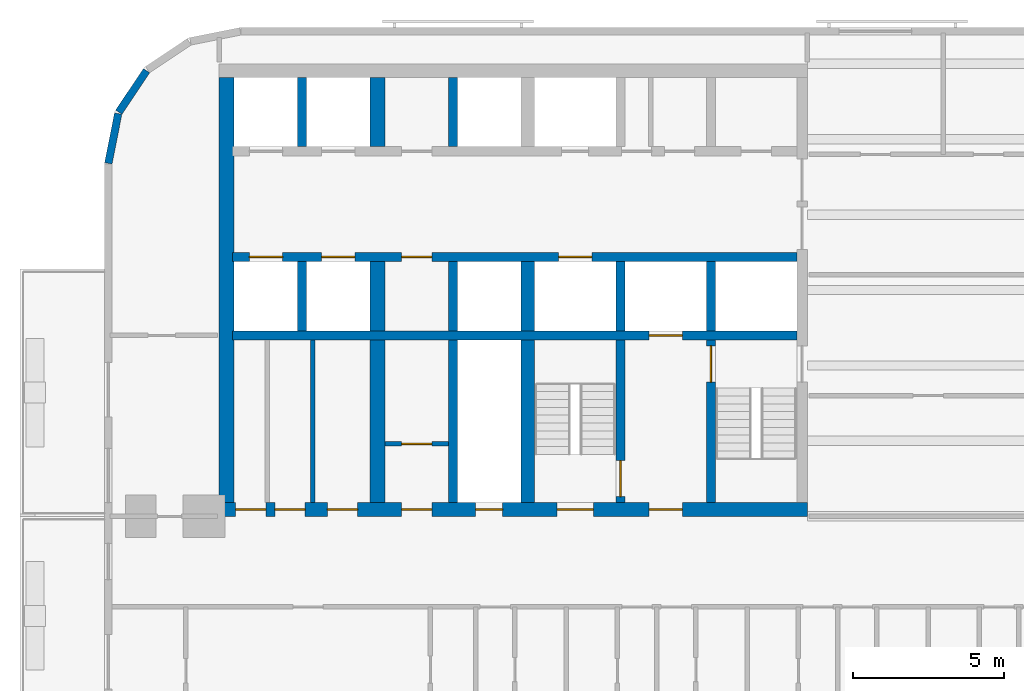
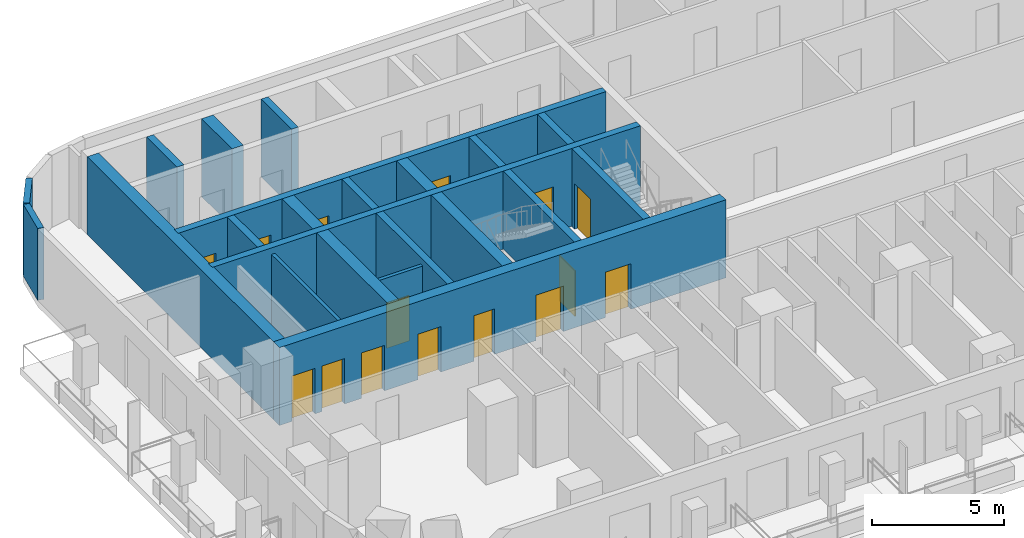
# One storey, part 3 of 15: 22 walls, 15 doors, 15 openings.
"""IFC4 building model written with IfcOpenShell, lengths in metres."""

from ifc_helpers import new_model, si_unit, direction, frame, frame_2d, origin, place, context, subcontext, project, spatial, rectangle, extrude, material, layer, layer_set, type_object, element, fill, save


model = new_model("IFC4")

# Units and contexts
model_context = context("Model", 3, precision=1e-05, world=origin(), true_north=direction((0.0, 1.0)))
body_context = subcontext(model_context, "Body", "Model", "MODEL_VIEW")
ifc_project = project(units=[si_unit("LENGTHUNIT", "METRE"), si_unit("AREAUNIT", "SQUARE_METRE"), si_unit("VOLUMEUNIT", "CUBIC_METRE"), si_unit("PLANEANGLEUNIT", "RADIAN"), si_unit("MASSUNIT", "GRAM", prefix="KILO")], contexts=[model_context])

# Site, building, storey
site_placement = place(None, origin())
site = spatial("IfcSite", under=ifc_project, at=site_placement, CompositionType="ELEMENT")
building_placement = place(site_placement, origin())
building = spatial("IfcBuilding", under=site, at=building_placement, Name="Torana Hotel and Residences", CompositionType="ELEMENT")
storey_placement = place(building_placement, frame((0.0, 0.0, 42.0)))
storey = spatial("IfcBuildingStorey", under=building, at=storey_placement, Name="L09", CompositionType="ELEMENT", Elevation=42.0)

# Wall, openings, doors
ifc_material_1 = material(Name="Concrete C80/95", Category="concrete")
ifc_layer_1 = layer(ifc_material_1, 0.300048828125)
ifc_layer_set_1 = layer_set([ifc_layer_1], Name="CORE WALL 300 C80/95")
wall_type_1 = type_object("IfcWallType", Name="CORE WALL 300 C80/95", PredefinedType="SHEAR", material=ifc_layer_set_1)
wall_1_placement = place(storey_placement, frame((-29.050048828125, -6.39990234375, 0.0), z_axis=(0.0, 0.0, 1.0), x_axis=(1.0, 0.0, 0.0)))
wall_1 = element("IfcWall", 1, at=wall_1_placement, inside=storey, type_object=wall_type_1, Name="Core wall W row-S", PredefinedType="SHEAR", context=body_context, shape_type="SweptSolid", body=[
    extrude(rectangle(XDim=18.699951171875, YDim=0.300048828125, at=frame_2d((9.35009765625, 0.0))), origin(), (0.0, 0.0, 1.0), 3.60009765625),
])
opening_1_placement = place(wall_1_placement, frame((2.949951171875, 0.0, 0.0)))
opening_1 = element("IfcOpeningElement", 2, at=opening_1_placement, cuts=wall_1, Name="Opening LD", PredefinedType="OPENING", context=body_context, shape_type="SweptSolid", body=[
    extrude(rectangle(XDim=1.10009765625, YDim=2.10009765625, at=frame_2d((0.550048828125, 1.050048828125))), frame((0.0, 0.159912109375, 0.0), z_axis=(0.0, -1.0, 0.0), x_axis=(1.0, 0.0, 0.0)), (0.0, 0.0, 1.0), 0.320068359375),
])
opening_2_placement = place(wall_1_placement, frame((0.550048828125, 0.0, 0.0)))
opening_2 = element("IfcOpeningElement", 3, at=opening_2_placement, cuts=wall_1, Name="Opening LD", PredefinedType="OPENING", context=body_context, shape_type="SweptSolid", body=[
    extrude(rectangle(XDim=1.10009765625, YDim=2.10009765625, at=frame_2d((0.550048828125, 1.050048828125))), frame((0.0, 0.159912109375, 0.0), z_axis=(0.0, -1.0, 0.0), x_axis=(1.0, 0.0, 0.0)), (0.0, 0.0, 1.0), 0.320068359375),
])
opening_3_placement = place(wall_1_placement, frame((10.800048828125, 0.0, 0.0)))
opening_3 = element("IfcOpeningElement", 4, at=opening_3_placement, cuts=wall_1, Name="Opening LD", PredefinedType="OPENING", context=body_context, shape_type="SweptSolid", body=[
    extrude(rectangle(XDim=1.10009765625, YDim=2.10009765625, at=frame_2d((0.550048828125, 1.050048828125))), frame((0.0, 0.159912109375, 0.0), z_axis=(0.0, -1.0, 0.0), x_axis=(1.0, 0.0, 0.0)), (0.0, 0.0, 1.0), 0.320068359375),
])
opening_4_placement = place(wall_1_placement, frame((5.60009765625, 0.0, 0.0)))
opening_4 = element("IfcOpeningElement", 5, at=opening_4_placement, cuts=wall_1, Name="Opening L09-16", PredefinedType="OPENING", context=body_context, shape_type="SweptSolid", body=[
    extrude(rectangle(XDim=1.0, YDim=2.10009765625, at=frame_2d((0.5, 1.050048828125))), frame((0.0, 0.159912109375, 0.0), z_axis=(0.0, -1.0, 0.0), x_axis=(1.0, 0.0, 0.0)), (0.0, 0.0, 1.0), 0.320068359375),
])
ifc_material_2 = material(Name="Steel S235", Category="steel")
door_type_1 = type_object("IfcDoorType", Name="CORE ROOM FIRE DOOR D14 1000x2100", OperationType="SINGLE_SWING_LEFT", PredefinedType="DOOR", material=ifc_material_2)
door_1_placement = place(opening_4_placement, frame((0.5, 0.0, 0.0), z_axis=(0.0, 0.0, 1.0), x_axis=(-1.0, 0.0, 0.0)))
door_1 = element("IfcDoor", 6, at=door_1_placement, inside=storey, type_object=door_type_1, Name="Free-M2 door L09", OperationType="SINGLE_SWING_LEFT", OverallHeight=2.10009765625, OverallWidth=1.0, PredefinedType="DOOR", context=body_context, shape_type="SweptSolid", body=[
    extrude(rectangle(XDim=1.0, YDim=2.10009765625, at=frame_2d((0.0, 1.050048828125))), frame((0.0, -0.02490234375, 0.0), z_axis=(0.0, 1.0, 0.0), x_axis=(-1.0, 0.0, 0.0)), (0.0, 0.0, 1.0), 0.050048828125),
])
fill(opening_4, door_1)
ifc_material_3 = material(Name="Stainless steel 316", Category="steel")
door_type_2 = type_object("IfcDoorType", Name="LIFT LANDING DOOR LD 1100x2100", OperationType="DOUBLE_DOOR_SLIDING", PredefinedType="USERDEFINED", material=ifc_material_3)
door_2_placement = place(opening_1_placement, origin())
door_2 = element("IfcDoor", 7, at=door_2_placement, inside=storey, type_object=door_type_2, Name="Lift landing door L3 L09", ObjectType="LIFT LANDING DOOR", OperationType="DOUBLE_DOOR_SLIDING", OverallHeight=2.10009765625, OverallWidth=1.10009765625, PredefinedType="USERDEFINED", context=body_context, shape_type="SweptSolid", body=[
    extrude(rectangle(XDim=1.10009765625, YDim=2.10009765625, at=frame_2d((0.550048828125, 1.050048828125))), frame((0.0, 0.02490234375, 0.0), z_axis=(0.0, -1.0, 0.0), x_axis=(1.0, 0.0, 0.0)), (0.0, 0.0, 1.0), 0.050048828125),
])
fill(opening_1, door_2)
door_3_placement = place(opening_2_placement, origin())
door_3 = element("IfcDoor", 8, at=door_3_placement, inside=storey, type_object=door_type_2, Name="Lift landing door L4 L09", ObjectType="LIFT LANDING DOOR", OperationType="DOUBLE_DOOR_SLIDING", OverallHeight=2.10009765625, OverallWidth=1.10009765625, PredefinedType="USERDEFINED", context=body_context, shape_type="SweptSolid", body=[
    extrude(rectangle(XDim=1.10009765625, YDim=2.10009765625, at=frame_2d((0.550048828125, 1.050048828125))), frame((0.0, 0.02490234375, 0.0), z_axis=(0.0, -1.0, 0.0), x_axis=(1.0, 0.0, 0.0)), (0.0, 0.0, 1.0), 0.050048828125),
])
fill(opening_2, door_3)
door_4_placement = place(opening_3_placement, origin())
door_4 = element("IfcDoor", 9, at=door_4_placement, inside=storey, type_object=door_type_2, Name="Lift landing door SV1 L09", ObjectType="LIFT LANDING DOOR", OperationType="DOUBLE_DOOR_SLIDING", OverallHeight=2.10009765625, OverallWidth=1.10009765625, PredefinedType="USERDEFINED", context=body_context, shape_type="SweptSolid", body=[
    extrude(rectangle(XDim=1.10009765625, YDim=2.10009765625, at=frame_2d((0.550048828125, 1.050048828125))), frame((0.0, 0.02490234375, 0.0), z_axis=(0.0, -1.0, 0.0), x_axis=(1.0, 0.0, 0.0)), (0.0, 0.0, 1.0), 0.050048828125),
])
fill(opening_3, door_4)

# Wall, opening, door
wall_2_placement = place(storey_placement, frame((-29.050048828125, -9.0, 0.0), z_axis=(0.0, 0.0, 1.0), x_axis=(1.0, 0.0, 0.0)))
wall_2 = element("IfcWall", 10, at=wall_2_placement, inside=storey, type_object=wall_type_1, Name="Core wall W band", PredefinedType="SHEAR", context=body_context, shape_type="SweptSolid", body=[
    extrude(rectangle(XDim=18.699951171875, YDim=0.300048828125, at=frame_2d((9.35009765625, 0.0))), origin(), (0.0, 0.0, 1.0), 3.60009765625),
])
opening_5_placement = place(wall_2_placement, frame((13.800048828125, 0.0, 0.0)))
opening_5 = element("IfcOpeningElement", 11, at=opening_5_placement, cuts=wall_2, Name="Opening LD", PredefinedType="OPENING", context=body_context, shape_type="SweptSolid", body=[
    extrude(rectangle(XDim=1.10009765625, YDim=2.10009765625, at=frame_2d((0.550048828125, 1.050048828125))), frame((0.0, 0.159912109375, 0.0), z_axis=(0.0, -1.0, 0.0), x_axis=(1.0, 0.0, 0.0)), (0.0, 0.0, 1.0), 0.320068359375),
])
door_5_placement = place(opening_5_placement, origin())
door_5 = element("IfcDoor", 12, at=door_5_placement, inside=storey, type_object=door_type_2, Name="Lift landing door FF1 L09", ObjectType="LIFT LANDING DOOR", OperationType="DOUBLE_DOOR_SLIDING", OverallHeight=2.10009765625, OverallWidth=1.10009765625, PredefinedType="USERDEFINED", context=body_context, shape_type="SweptSolid", body=[
    extrude(rectangle(XDim=1.10009765625, YDim=2.10009765625, at=frame_2d((0.550048828125, 1.050048828125))), frame((0.0, 0.02490234375, 0.0), z_axis=(0.0, -1.0, 0.0), x_axis=(1.0, 0.0, 0.0)), (0.0, 0.0, 1.0), 0.050048828125),
])
fill(opening_5, door_5)

# Wall
wall_3_placement = place(storey_placement, frame((-13.199951171875, -8.85009765625, 0.0), z_axis=(0.0, 0.0, 1.0), x_axis=(0.0, 1.0, 0.0)))
element("IfcWall", 13, at=wall_3_placement, inside=storey, type_object=wall_type_1, Name="Core wall W x3.05-S", PredefinedType="SHEAR", context=body_context, shape_type="SweptSolid", body=[
    extrude(rectangle(XDim=2.300048828125, YDim=0.300048828125, at=frame_2d((1.14990234375, 0.0))), origin(), (0.0, 0.0, 1.0), 3.60009765625),
])

# Wall, opening, door
wall_4_placement = place(storey_placement, frame((-13.199951171875, -14.550048828125, 0.0), z_axis=(0.0, 0.0, 1.0), x_axis=(0.0, 1.0, 0.0)))
wall_4 = element("IfcWall", 14, at=wall_4_placement, inside=storey, type_object=wall_type_1, Name="Core wall W x3.05-band", PredefinedType="SHEAR", context=body_context, shape_type="SweptSolid", body=[
    extrude(rectangle(XDim=5.400146484375, YDim=0.300048828125, at=frame_2d((2.7001953125, 0.0))), origin(), (0.0, 0.0, 1.0), 3.60009765625),
])
opening_6_placement = place(wall_4_placement, frame((4.0, 0.0, 0.0)))
opening_6 = element("IfcOpeningElement", 15, at=opening_6_placement, cuts=wall_4, Name="Opening L09-17", PredefinedType="OPENING", context=body_context, shape_type="SweptSolid", body=[
    extrude(rectangle(XDim=1.199951171875, YDim=2.10009765625, at=frame_2d((0.60009765625, 1.050048828125))), frame((0.0, 0.159912109375, 0.0), z_axis=(0.0, -1.0, 0.0), x_axis=(1.0, 0.0, 0.0)), (0.0, 0.0, 1.0), 0.320068359375),
])
ifc_material_4 = material(Name="Steel S235", Category="steel")
door_type_3 = type_object("IfcDoorType", Name="STAIR FIRE DOOR D3 1200x2100", OperationType="SINGLE_SWING_LEFT", PredefinedType="DOOR", material=ifc_material_4)
door_6_placement = place(opening_6_placement, frame((0.60009765625, 0.0, 0.0), z_axis=(0.0, 0.0, 1.0), x_axis=(-1.0, 0.0, 0.0)))
door_6 = element("IfcDoor", 16, at=door_6_placement, inside=storey, type_object=door_type_3, Name="Stair-A-lobby door L09", OperationType="SINGLE_SWING_RIGHT", OverallHeight=2.10009765625, OverallWidth=1.199951171875, PredefinedType="DOOR", context=body_context, shape_type="SweptSolid", body=[
    extrude(rectangle(XDim=1.199951171875, YDim=2.10009765625, at=frame_2d((0.0, 1.050048828125))), frame((0.0, -0.02490234375, 0.0), z_axis=(0.0, 1.0, 0.0), x_axis=(-1.0, 0.0, 0.0)), (0.0, 0.0, 1.0), 0.050048828125),
])
fill(opening_6, door_6)

# Wall
wall_5_placement = place(storey_placement, frame((-16.199951171875, -8.85009765625, 0.0), z_axis=(0.0, 0.0, 1.0), x_axis=(0.0, 1.0, 0.0)))
element("IfcWall", 17, at=wall_5_placement, inside=storey, type_object=wall_type_1, Name="Core wall W x6.05-S", PredefinedType="SHEAR", context=body_context, shape_type="SweptSolid", body=[
    extrude(rectangle(XDim=2.300048828125, YDim=0.300048828125, at=frame_2d((1.14990234375, 0.0))), origin(), (0.0, 0.0, 1.0), 3.60009765625),
])

# Wall, opening, door
wall_6_placement = place(storey_placement, frame((-16.199951171875, -14.550048828125, 0.0), z_axis=(0.0, 0.0, 1.0), x_axis=(0.0, 1.0, 0.0)))
wall_6 = element("IfcWall", 18, at=wall_6_placement, inside=storey, type_object=wall_type_1, Name="Core wall W x6.05-band", PredefinedType="SHEAR", context=body_context, shape_type="SweptSolid", body=[
    extrude(rectangle(XDim=5.400146484375, YDim=0.300048828125, at=frame_2d((2.7001953125, 0.0))), origin(), (0.0, 0.0, 1.0), 3.60009765625),
])
opening_7_placement = place(wall_6_placement, frame((0.199951171875, 0.0, 0.0)))
opening_7 = element("IfcOpeningElement", 19, at=opening_7_placement, cuts=wall_6, Name="Opening L09-18", PredefinedType="OPENING", context=body_context, shape_type="SweptSolid", body=[
    extrude(rectangle(XDim=1.199951171875, YDim=2.10009765625, at=frame_2d((0.60009765625, 1.050048828125))), frame((0.0, 0.159912109375, 0.0), z_axis=(0.0, -1.0, 0.0), x_axis=(1.0, 0.0, 0.0)), (0.0, 0.0, 1.0), 0.320068359375),
])
door_7_placement = place(opening_7_placement, origin())
door_7 = element("IfcDoor", 20, at=door_7_placement, inside=storey, type_object=door_type_3, Name="Stair-B-lobby door L09", OperationType="SINGLE_SWING_RIGHT", OverallHeight=2.10009765625, OverallWidth=1.199951171875, PredefinedType="DOOR", context=body_context, shape_type="SweptSolid", body=[
    extrude(rectangle(XDim=1.199951171875, YDim=2.10009765625, at=frame_2d((0.60009765625, 1.050048828125))), frame((0.0, 0.02490234375, 0.0), z_axis=(0.0, -1.0, 0.0), x_axis=(1.0, 0.0, 0.0)), (0.0, 0.0, 1.0), 0.050048828125),
])
fill(opening_7, door_7)

# Walls
for number, where, z_axis, x_axis, name in (
    (21, (-21.75, -2.75, 0.0), (0.0, 0.0, 1.0), (0.0, 1.0, 0.0), "Core wall W mm-N"),
    (22, (-21.75, -8.85009765625, 0.0), (0.0, 0.0, 1.0), (0.0, 1.0, 0.0), "Core wall W mm-S"),
):
    element("IfcWall", number, at=place(storey_placement, frame(where, z_axis=z_axis, x_axis=x_axis)), inside=storey, type_object=wall_type_1, Name=name, PredefinedType="SHEAR", context=body_context, shape_type="SweptSolid", body=[
        extrude(rectangle(XDim=2.300048828125, YDim=0.300048828125, at=frame_2d((1.14990234375, 0.0))), origin(), (0.0, 0.0, 1.0), 3.60009765625),
    ])
wall_7_placement = place(storey_placement, frame((-21.75, -14.550048828125, 0.0), z_axis=(0.0, 0.0, 1.0), x_axis=(0.0, 1.0, 0.0)))
element("IfcWall", 23, at=wall_7_placement, inside=storey, type_object=wall_type_1, Name="Core wall W mm-band", PredefinedType="SHEAR", context=body_context, shape_type="SweptSolid", body=[
    extrude(rectangle(XDim=5.400146484375, YDim=0.300048828125, at=frame_2d((2.7001953125, 0.0))), origin(), (0.0, 0.0, 1.0), 3.60009765625),
])
for number, where, z_axis, x_axis, name in (
    (24, (-26.75, -2.75, 0.0), (0.0, 0.0, 1.0), (0.0, 1.0, 0.0), "Core wall W ll-N"),
    (25, (-26.75, -8.85009765625, 0.0), (0.0, 0.0, 1.0), (0.0, 1.0, 0.0), "Core wall W ll-S"),
):
    element("IfcWall", number, at=place(storey_placement, frame(where, z_axis=z_axis, x_axis=x_axis)), inside=storey, type_object=wall_type_1, Name=name, PredefinedType="SHEAR", context=body_context, shape_type="SweptSolid", body=[
        extrude(rectangle(XDim=2.300048828125, YDim=0.300048828125, at=frame_2d((1.14990234375, 0.0))), origin(), (0.0, 0.0, 1.0), 3.60009765625),
    ])

# Wall, openings, doors
ifc_material_5 = material(Name="Concrete C80/95", Category="concrete")
ifc_layer_2 = layer(ifc_material_5, 0.449951171875)
ifc_layer_set_2 = layer_set([ifc_layer_2], Name="CORE WALL 450 C80/95")
wall_type_2 = type_object("IfcWallType", Name="CORE WALL 450 C80/95", PredefinedType="SHEAR", material=ifc_layer_set_2)
wall_8_placement = place(storey_placement, frame((-29.5, -14.77490234375, 0.0), z_axis=(0.0, 0.0, 1.0), x_axis=(1.0, 0.0, 0.0)))
wall_8 = element("IfcWall", 26, at=wall_8_placement, inside=storey, type_object=wall_type_2, Name="Core wall W front", PredefinedType="SHEAR", context=body_context, shape_type="SweptSolid", body=[
    extrude(rectangle(XDim=19.5, YDim=0.449951171875, at=frame_2d((9.75, 0.0))), origin(), (0.0, 0.0, 1.0), 3.60009765625),
])
opening_8_placement = place(wall_8_placement, frame((11.199951171875, 0.0, 0.0)))
opening_8 = element("IfcOpeningElement", 27, at=opening_8_placement, cuts=wall_8, Name="Opening L09-04", PredefinedType="OPENING", context=body_context, shape_type="SweptSolid", body=[
    extrude(rectangle(XDim=1.199951171875, YDim=2.10009765625, at=frame_2d((0.60009765625, 1.050048828125))), frame((0.0, 0.23486328125, 0.0), z_axis=(0.0, -1.0, 0.0), x_axis=(1.0, 0.0, 0.0)), (0.0, 0.0, 1.0), 0.469970703125),
])
opening_9_placement = place(wall_8_placement, frame((14.25, 0.0, 0.0)))
opening_9 = element("IfcOpeningElement", 28, at=opening_9_placement, cuts=wall_8, Name="Opening L09-05", PredefinedType="OPENING", context=body_context, shape_type="SweptSolid", body=[
    extrude(rectangle(XDim=1.10009765625, YDim=2.10009765625, at=frame_2d((0.550048828125, 1.050048828125))), frame((0.0, 0.23486328125, 0.0), z_axis=(0.0, -1.0, 0.0), x_axis=(1.0, 0.0, 0.0)), (0.0, 0.0, 1.0), 0.469970703125),
])
opening_10_placement = place(wall_8_placement, frame((8.5, 0.0, 0.0)))
opening_10 = element("IfcOpeningElement", 29, at=opening_10_placement, cuts=wall_8, Name="Opening L09-06", PredefinedType="OPENING", context=body_context, shape_type="SweptSolid", body=[
    extrude(rectangle(XDim=0.89990234375, YDim=2.10009765625, at=frame_2d((0.449951171875, 1.050048828125))), frame((0.0, 0.23486328125, 0.0), z_axis=(0.0, -1.0, 0.0), x_axis=(1.0, 0.0, 0.0)), (0.0, 0.0, 1.0), 0.469970703125),
])
opening_11_placement = place(wall_8_placement, frame((6.050048828125, 0.0, 0.0)))
opening_11 = element("IfcOpeningElement", 30, at=opening_11_placement, cuts=wall_8, Name="Opening L09-07", PredefinedType="OPENING", context=body_context, shape_type="SweptSolid", body=[
    extrude(rectangle(XDim=1.0, YDim=2.10009765625, at=frame_2d((0.5, 1.050048828125))), frame((0.0, 0.23486328125, 0.0), z_axis=(0.0, -1.0, 0.0), x_axis=(1.0, 0.0, 0.0)), (0.0, 0.0, 1.0), 0.469970703125),
])
opening_12_placement = place(wall_8_placement, frame((3.58740234375, 0.0, 0.0)))
opening_12 = element("IfcOpeningElement", 31, at=opening_12_placement, cuts=wall_8, Name="Opening L09-08", PredefinedType="OPENING", context=body_context, shape_type="SweptSolid", body=[
    extrude(rectangle(XDim=1.0, YDim=2.10009765625, at=frame_2d((0.5, 1.050048828125))), frame((0.0, 0.23486328125, 0.0), z_axis=(0.0, -1.0, 0.0), x_axis=(1.0, 0.0, 0.0)), (0.0, 0.0, 1.0), 0.469970703125),
])
opening_13_placement = place(wall_8_placement, frame((1.85009765625, 0.0, 0.0)))
opening_13 = element("IfcOpeningElement", 32, at=opening_13_placement, cuts=wall_8, Name="Opening L09-09", PredefinedType="OPENING", context=body_context, shape_type="SweptSolid", body=[
    extrude(rectangle(XDim=1.0, YDim=2.10009765625, at=frame_2d((0.5, 1.050048828125))), frame((0.0, 0.23486328125, 0.0), z_axis=(0.0, -1.0, 0.0), x_axis=(1.0, 0.0, 0.0)), (0.0, 0.0, 1.0), 0.469970703125),
])
opening_14_placement = place(wall_8_placement, frame((0.550048828125, 0.0, 0.0)))
opening_14 = element("IfcOpeningElement", 33, at=opening_14_placement, cuts=wall_8, Name="Opening L09-10", PredefinedType="OPENING", context=body_context, shape_type="SweptSolid", body=[
    extrude(rectangle(XDim=1.0, YDim=2.10009765625, at=frame_2d((0.5, 1.050048828125))), frame((0.0, 0.23486328125, 0.0), z_axis=(0.0, -1.0, 0.0), x_axis=(1.0, 0.0, 0.0)), (0.0, 0.0, 1.0), 0.469970703125),
])
door_8_placement = place(opening_11_placement, origin())
door_8 = element("IfcDoor", 34, at=door_8_placement, inside=storey, type_object=door_type_1, Name="M-Room-B door L09", OperationType="SINGLE_SWING_RIGHT", OverallHeight=2.10009765625, OverallWidth=1.0, PredefinedType="DOOR", context=body_context, shape_type="SweptSolid", body=[
    extrude(rectangle(XDim=1.0, YDim=2.10009765625, at=frame_2d((0.5, 1.050048828125))), frame((0.0, 0.02490234375, 0.0), z_axis=(0.0, -1.0, 0.0), x_axis=(1.0, 0.0, 0.0)), (0.0, 0.0, 1.0), 0.050048828125),
])
fill(opening_11, door_8)
door_9_placement = place(opening_12_placement, origin())
door_9 = element("IfcDoor", 35, at=door_9_placement, inside=storey, type_object=door_type_1, Name="L-A door L09", OperationType="SINGLE_SWING_RIGHT", OverallHeight=2.10009765625, OverallWidth=1.0, PredefinedType="DOOR", context=body_context, shape_type="SweptSolid", body=[
    extrude(rectangle(XDim=1.0, YDim=2.10009765625, at=frame_2d((0.5, 1.050048828125))), frame((0.0, 0.02490234375, 0.0), z_axis=(0.0, -1.0, 0.0), x_axis=(1.0, 0.0, 0.0)), (0.0, 0.0, 1.0), 0.050048828125),
])
fill(opening_12, door_9)
door_10_placement = place(opening_13_placement, origin())
door_10 = element("IfcDoor", 36, at=door_10_placement, inside=storey, type_object=door_type_1, Name="L-B door L09", OperationType="SINGLE_SWING_RIGHT", OverallHeight=2.10009765625, OverallWidth=1.0, PredefinedType="DOOR", context=body_context, shape_type="SweptSolid", body=[
    extrude(rectangle(XDim=1.0, YDim=2.10009765625, at=frame_2d((0.5, 1.050048828125))), frame((0.0, 0.02490234375, 0.0), z_axis=(0.0, -1.0, 0.0), x_axis=(1.0, 0.0, 0.0)), (0.0, 0.0, 1.0), 0.050048828125),
])
fill(opening_13, door_10)
door_11_placement = place(opening_14_placement, origin())
door_11 = element("IfcDoor", 37, at=door_11_placement, inside=storey, type_object=door_type_1, Name="L-C door L09", OperationType="SINGLE_SWING_RIGHT", OverallHeight=2.10009765625, OverallWidth=1.0, PredefinedType="DOOR", context=body_context, shape_type="SweptSolid", body=[
    extrude(rectangle(XDim=1.0, YDim=2.10009765625, at=frame_2d((0.5, 1.050048828125))), frame((0.0, 0.02490234375, 0.0), z_axis=(0.0, -1.0, 0.0), x_axis=(1.0, 0.0, 0.0)), (0.0, 0.0, 1.0), 0.050048828125),
])
fill(opening_14, door_11)
ifc_material_6 = material(Name="Steel S235", Category="steel")
door_type_4 = type_object("IfcDoorType", Name="FIRE-FIGHTING LOBBY DOOR D8 1100x2100", OperationType="SINGLE_SWING_LEFT", PredefinedType="DOOR", material=ifc_material_6)
door_12_placement = place(opening_9_placement, origin())
door_12 = element("IfcDoor", 38, at=door_12_placement, inside=storey, type_object=door_type_4, Name="FF-lobby door L09", OperationType="SINGLE_SWING_RIGHT", OverallHeight=2.10009765625, OverallWidth=1.10009765625, PredefinedType="DOOR", context=body_context, shape_type="SweptSolid", body=[
    extrude(rectangle(XDim=1.10009765625, YDim=2.10009765625, at=frame_2d((0.550048828125, 1.050048828125))), frame((0.0, 0.02490234375, 0.0), z_axis=(0.0, -1.0, 0.0), x_axis=(1.0, 0.0, 0.0)), (0.0, 0.0, 1.0), 0.050048828125),
])
fill(opening_9, door_12)
ifc_material_7 = material(Name="Steel S235", Category="steel")
door_type_5 = type_object("IfcDoorType", Name="RISER ACCESS DOOR D5 900x2100", OperationType="SINGLE_SWING_LEFT", PredefinedType="DOOR", material=ifc_material_7)
door_13_placement = place(opening_10_placement, origin())
door_13 = element("IfcDoor", 39, at=door_13_placement, inside=storey, type_object=door_type_5, Name="M-Riser door L09", OperationType="SINGLE_SWING_RIGHT", OverallHeight=2.10009765625, OverallWidth=0.89990234375, PredefinedType="DOOR", context=body_context, shape_type="SweptSolid", body=[
    extrude(rectangle(XDim=0.89990234375, YDim=2.10009765625, at=frame_2d((0.449951171875, 1.050048828125))), frame((0.0, 0.02490234375, 0.0), z_axis=(0.0, -1.0, 0.0), x_axis=(1.0, 0.0, 0.0)), (0.0, 0.0, 1.0), 0.050048828125),
])
fill(opening_10, door_13)
door_14_placement = place(opening_8_placement, origin())
door_14 = element("IfcDoor", 40, at=door_14_placement, inside=storey, type_object=door_type_3, Name="Stair-B door L09", OperationType="SINGLE_SWING_RIGHT", OverallHeight=2.10009765625, OverallWidth=1.199951171875, PredefinedType="DOOR", context=body_context, shape_type="SweptSolid", body=[
    extrude(rectangle(XDim=1.199951171875, YDim=2.10009765625, at=frame_2d((0.60009765625, 1.050048828125))), frame((0.0, 0.02490234375, 0.0), z_axis=(0.0, -1.0, 0.0), x_axis=(1.0, 0.0, 0.0)), (0.0, 0.0, 1.0), 0.050048828125),
])
fill(opening_8, door_14)

# Walls
wall_9_placement = place(storey_placement, frame((-19.27490234375, -8.85009765625, 0.0), z_axis=(0.0, 0.0, 1.0), x_axis=(0.0, 1.0, 0.0)))
element("IfcWall", 41, at=wall_9_placement, inside=storey, type_object=wall_type_2, Name="Core wall W hm-S", PredefinedType="SHEAR", context=body_context, shape_type="SweptSolid", body=[
    extrude(rectangle(XDim=2.300048828125, YDim=0.449951171875, at=frame_2d((1.14990234375, 0.0))), origin(), (0.0, 0.0, 1.0), 3.60009765625),
])
wall_10_placement = place(storey_placement, frame((-19.27490234375, -14.550048828125, 0.0), z_axis=(0.0, 0.0, 1.0), x_axis=(0.0, 1.0, 0.0)))
element("IfcWall", 42, at=wall_10_placement, inside=storey, type_object=wall_type_2, Name="Core wall W hm-band", PredefinedType="SHEAR", context=body_context, shape_type="SweptSolid", body=[
    extrude(rectangle(XDim=5.400146484375, YDim=0.449951171875, at=frame_2d((2.7001953125, 0.0))), origin(), (0.0, 0.0, 1.0), 3.60009765625),
])
ifc_material_8 = material(Name="Concrete C80/95", Category="concrete")
ifc_layer_3 = layer(ifc_material_8, 0.5)
ifc_layer_set_3 = layer_set([ifc_layer_3], Name="CORE WALL 500 C80/95")
wall_type_3 = type_object("IfcWallType", Name="CORE WALL 500 C80/95", PredefinedType="SHEAR", material=ifc_layer_set_3)
wall_11_placement = place(storey_placement, frame((-29.25, -14.550048828125, 0.0), z_axis=(0.0, 0.0, 1.0), x_axis=(0.0, 1.0, 0.0)))
element("IfcWall", 43, at=wall_11_placement, inside=storey, type_object=wall_type_3, Name="Core wall W outer", PredefinedType="SHEAR", context=body_context, shape_type="SweptSolid", body=[
    extrude(rectangle(XDim=14.10009765625, YDim=0.5, at=frame_2d((7.050048828125, 0.0))), origin(), (0.0, 0.0, 1.0), 3.60009765625),
])
for number, where, z_axis, x_axis, name in (
    (44, (-24.25, -2.75, 0.0), (0.0, 0.0, 1.0), (0.0, 1.0, 0.0), "Core wall W ml-N"),
    (45, (-24.25, -8.85009765625, 0.0), (0.0, 0.0, 1.0), (0.0, 1.0, 0.0), "Core wall W ml-S"),
):
    element("IfcWall", number, at=place(storey_placement, frame(where, z_axis=z_axis, x_axis=x_axis)), inside=storey, type_object=wall_type_3, Name=name, PredefinedType="SHEAR", context=body_context, shape_type="SweptSolid", body=[
        extrude(rectangle(XDim=2.300048828125, YDim=0.5, at=frame_2d((1.14990234375, 0.0))), origin(), (0.0, 0.0, 1.0), 3.60009765625),
    ])
wall_12_placement = place(storey_placement, frame((-24.25, -14.550048828125, 0.0), z_axis=(0.0, 0.0, 1.0), x_axis=(0.0, 1.0, 0.0)))
element("IfcWall", 46, at=wall_12_placement, inside=storey, type_object=wall_type_3, Name="Core wall W ml-band", PredefinedType="SHEAR", context=body_context, shape_type="SweptSolid", body=[
    extrude(rectangle(XDim=5.400146484375, YDim=0.5, at=frame_2d((2.7001953125, 0.0))), origin(), (0.0, 0.0, 1.0), 3.60009765625),
])
ifc_material_9 = material(Name="Black aluminium composite panel", Category="aluminium")
ifc_layer_4 = layer(ifc_material_9, 0.00390625, Name="Cladding", Category="cladding")
ifc_material_10 = material(Name="Ventilated air cavity")
ifc_layer_5 = layer(ifc_material_10, 0.0400390625, Name="Ventilated cavity", Category="cavity")
ifc_material_11 = material(Name="Mineral wool insulation")
ifc_layer_6 = layer(ifc_material_11, 0.090087890625, Name="Insulation", Category="insulation")
ifc_material_12 = material(Name="Steel S280GD", Category="steel")
ifc_layer_7 = layer(ifc_material_12, 0.092041015625, Name="Steel stud frame", Category="structure")
ifc_material_13 = material(Name="Fire rated plasterboard")
ifc_layer_8 = layer(ifc_material_13, 0.011962890625, Name="Inner board", Category="finish")
ifc_layer_9 = layer(ifc_material_13, 0.011962890625, Name="Second board", Category="finish")
ifc_layer_set_4 = layer_set([ifc_layer_4, ifc_layer_5, ifc_layer_6, ifc_layer_7, ifc_layer_8, ifc_layer_9], Name="EW1 EXTERNAL WALL BLACK METAL CLAD 250")
wall_type_4 = type_object("IfcWallType", Name="EW1 EXTERNAL WALL BLACK METAL CLAD 250", PredefinedType="SOLIDWALL", material=ifc_layer_set_4)
wall_13_placement = place(storey_placement, frame((-31.90576171875, -0.228759765625, 0.0), z_axis=(0.0, 0.0, 1.0), x_axis=(-0.55555029066, -0.831482937015, 0.0)))
element("IfcWall", 47, at=wall_13_placement, inside=storey, type_object=wall_type_4, Name="External wall L09 e0.7", PredefinedType="SOLIDWALL", context=body_context, shape_type="SweptSolid", body=[
    extrude(rectangle(XDim=1.65625, YDim=0.25, at=frame_2d((0.828125, 0.0))), origin(), (0.0, 0.0, 1.0), 3.320068359375),
])
wall_14_placement = place(storey_placement, frame((-32.844482421875, -1.651123046875, 0.0), z_axis=(0.0, 0.0, 1.0), x_axis=(-0.19513878023, -0.980775640221, 0.0)))
element("IfcWall", 48, at=wall_14_placement, inside=storey, type_object=wall_type_4, Name="External wall L09 e0.8", PredefinedType="SOLIDWALL", context=body_context, shape_type="SweptSolid", body=[
    extrude(rectangle(XDim=1.681396484375, YDim=0.25, at=frame_2d((0.8408203125, 0.0))), origin(), (0.0, 0.0, 1.0), 3.320068359375),
])

# Wall, opening, door
ifc_material_14 = material(Name="Gypsum plaster")
ifc_layer_10 = layer(ifc_material_14, 0.014892578125, Name="Plaster", Category="finish")
ifc_material_15 = material(Name="Concrete blockwork", Category="masonry")
ifc_layer_11 = layer(ifc_material_15, 0.1201171875, Name="Blockwork", Category="structure")
ifc_layer_12 = layer(ifc_material_14, 0.014892578125, Name="Plaster", Category="finish")
ifc_layer_set_5 = layer_set([ifc_layer_10, ifc_layer_11, ifc_layer_12], Name="FIRE PARTITION 150 BLOCKWORK")
wall_type_5 = type_object("IfcWallType", Name="FIRE PARTITION 150 BLOCKWORK", PredefinedType="PARTITIONING", material=ifc_layer_set_5)
wall_15_placement = place(storey_placement, frame((-24.0, -12.60009765625, 0.0), z_axis=(0.0, 0.0, 1.0), x_axis=(1.0, 0.0, 0.0)))
wall_15 = element("IfcWall", 49, at=wall_15_placement, inside=storey, type_object=wall_type_5, Name="Core partition L09", PredefinedType="PARTITIONING", context=body_context, shape_type="SweptSolid", body=[
    extrude(rectangle(XDim=2.10009765625, YDim=0.14990234375, at=frame_2d((1.050048828125, 0.0))), origin(), (0.0, 0.0, 1.0), 3.300048828125),
])
opening_15_placement = place(wall_15_placement, frame((0.550048828125, 0.0, 0.0)))
opening_15 = element("IfcOpeningElement", 50, at=opening_15_placement, cuts=wall_15, Name="Opening L09-37", PredefinedType="OPENING", context=body_context, shape_type="SweptSolid", body=[
    extrude(rectangle(XDim=1.0, YDim=2.10009765625, at=frame_2d((0.5, 1.050048828125))), frame((0.0, 0.0849609375, 0.0), z_axis=(0.0, -1.0, 0.0), x_axis=(1.0, 0.0, 0.0)), (0.0, 0.0, 1.0), 0.169921875),
])
door_15_placement = place(opening_15_placement, origin())
door_15 = element("IfcDoor", 51, at=door_15_placement, inside=storey, type_object=door_type_1, Name="Plant room door L09", OperationType="SINGLE_SWING_RIGHT", OverallHeight=2.10009765625, OverallWidth=1.0, PredefinedType="DOOR", context=body_context, shape_type="SweptSolid", body=[
    extrude(rectangle(XDim=1.0, YDim=2.10009765625, at=frame_2d((0.5, 1.050048828125))), frame((0.0, 0.02490234375, 0.0), z_axis=(0.0, -1.0, 0.0), x_axis=(1.0, 0.0, 0.0)), (0.0, 0.0, 1.0), 0.050048828125),
])
fill(opening_15, door_15)

# Wall
wall_16_placement = place(storey_placement, frame((-26.39990234375, -14.550048828125, 0.0), z_axis=(0.0, 0.0, 1.0), x_axis=(0.0, 1.0, 0.0)))
element("IfcWall", 52, at=wall_16_placement, inside=storey, type_object=wall_type_5, Name="Core partition L09", PredefinedType="PARTITIONING", context=body_context, shape_type="SweptSolid", body=[
    extrude(rectangle(XDim=5.400146484375, YDim=0.14990234375, at=frame_2d((2.7001953125, 0.0))), origin(), (0.0, 0.0, 1.0), 3.300048828125),
])

save(model, "model.ifc")
